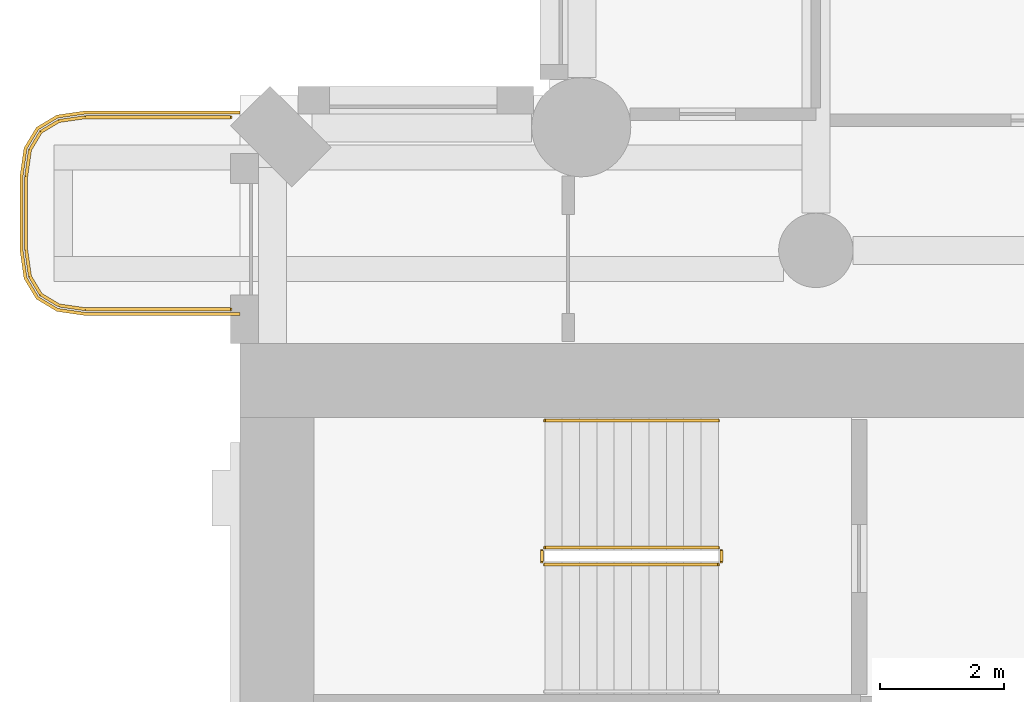
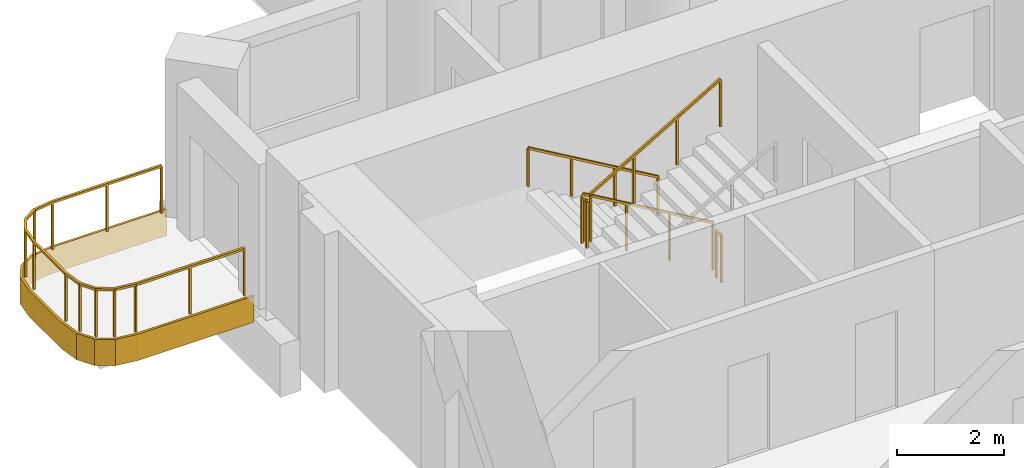
# One storey, part 17 of 20: 6 railings, 1 covering.
"""IFC4 building model written with IfcOpenShell, lengths in metres."""

from ifc_helpers import new_model, si_unit, direction, frame, origin, origin_2d, place, context, subcontext, project, spatial, polyline, rectangle, outline, extrude, material, layer, layer_set, type_object, element, save


model = new_model("IFC4")

# Units and contexts
model_context = context("Model", 3, precision=1e-05, world=origin(), true_north=direction((0.0, 1.0)))
body_context = subcontext(model_context, "Body", "Model", "MODEL_VIEW")
ifc_project = project(units=[si_unit("LENGTHUNIT", "METRE"), si_unit("AREAUNIT", "SQUARE_METRE"), si_unit("VOLUMEUNIT", "CUBIC_METRE"), si_unit("PLANEANGLEUNIT", "RADIAN"), si_unit("MASSUNIT", "GRAM", prefix="KILO")], contexts=[model_context])

# Site, building, storey
site_placement = place(None, origin())
site = spatial("IfcSite", under=ifc_project, at=site_placement, CompositionType="ELEMENT")
building_placement = place(site_placement, origin())
building = spatial("IfcBuilding", under=site, at=building_placement, Name="Cypress Arch Tower", CompositionType="ELEMENT")
storey_placement = place(building_placement, frame((0.0, 0.0, 73.5)))
storey = spatial("IfcBuildingStorey", under=building, at=storey_placement, Name="L12", CompositionType="ELEMENT", Elevation=73.5)

# Covering
ifc_material_1 = material(Name="White powder-coated aluminium fascia", Category="aluminium")
ifc_layer = layer(ifc_material_1, 0.050048828125)
ifc_layer_set = layer_set([ifc_layer], Name="Balcony fascia BF50")
covering_type = type_object("IfcCoveringType", Name="Balcony fascia BF50", PredefinedType="CLADDING", material=ifc_layer_set)
covering_placement = place(storey_placement, frame((0.0, 0.0, -0.60009765625)))
element("IfcCovering", 1, at=covering_placement, inside=storey, type_object=covering_type, Name="Balcony fascia L12-A00W0", PredefinedType="CLADDING", context=body_context, shape_type="SweptSolid", body=[
    extrude(outline(polyline([(-32.503662109375, 16.449951171875), (-32.95458984375, 16.514404296875), (-33.286376953125, 16.713623046875), (-33.485595703125, 17.04541015625), (-33.550048828125, 17.496337890625), (-33.550048828125, 18.70361328125), (-33.485595703125, 19.154541015625), (-33.286376953125, 19.486328125), (-32.95458984375, 19.685546875), (-32.503662109375, 19.75), (-30.0009765625, 19.75), (-30.0009765625, 19.699951171875), (-32.5, 19.699951171875), (-32.9375, 19.637451171875), (-33.25, 19.449951171875), (-33.4375, 19.137451171875), (-33.5, 18.699951171875), (-33.5, 17.5), (-33.4375, 17.0625), (-33.25, 16.75), (-32.9375, 16.5625), (-32.5, 16.5), (-30.0009765625, 16.5), (-30.0009765625, 16.449951171875), (-32.503662109375, 16.449951171875)])), origin(), (0.0, 0.0, 1.0), 0.60009765625),
])

# Railings
ifc_material_2 = material(Name="Powder-coated steel posts and rods, 100 mm clear between rods", Category="steel")
railing_type_1 = type_object("IfcRailingType", Name="Balcony guard GR1100", PredefinedType="GUARDRAIL", material=ifc_material_2)
railing_1_placement = place(storey_placement, frame((-30.14990234375, 16.550048828125, 0.0)))
element("IfcRailing", 2, at=railing_1_placement, inside=storey, type_object=railing_type_1, Name="Balcony guard L12-A00W0", PredefinedType="GUARDRAIL", context=body_context, shape_type="SweptSolid", body=[
    extrude(rectangle(XDim=0.050048828125, YDim=0.050048828125, at=origin_2d()), frame((0.0, 0.0, 1.0751953125), z_axis=(-1.0, 0.0, 0.0), x_axis=(0.0, -1.0, 0.0)), (0.0, 0.0, 1.0), 2.346435546875),
    extrude(rectangle(XDim=0.050048828125, YDim=0.050048828125, at=origin_2d()), frame((-2.346435546875, 0.0, 1.0751953125), z_axis=(-0.989960888959, 0.141341566184, 0.0), x_axis=(-0.141341566184, -0.989960888959, 0.0)), (0.0, 0.0, 1.0), 0.428466796875),
    extrude(rectangle(XDim=0.050048828125, YDim=0.050048828125, at=origin_2d()), frame((-2.7705078125, 0.060546875, 1.0751953125), z_axis=(-0.857681904839, 0.514180659021, 0.0), x_axis=(-0.514180659021, -0.857681904839, 0.0)), (0.0, 0.0, 1.0), 0.341796875),
    extrude(rectangle(XDim=0.050048828125, YDim=0.050048828125, at=origin_2d()), frame((-3.063720703125, 0.236328125, 1.0751953125), z_axis=(-0.514180659021, 0.857681904839, 0.0), x_axis=(-0.857681904839, -0.514180659021, 0.0)), (0.0, 0.0, 1.0), 0.341796875),
    extrude(rectangle(XDim=0.050048828125, YDim=0.050048828125, at=origin_2d()), frame((-3.239501953125, 0.529541015625, 1.0751953125), z_axis=(-0.141341566184, 0.989960888959, 0.0), x_axis=(-0.989960888959, -0.141341566184, 0.0)), (0.0, 0.0, 1.0), 0.428466796875),
    extrude(rectangle(XDim=0.050048828125, YDim=0.050048828125, at=origin_2d()), frame((-3.300048828125, 0.95361328125, 1.0751953125), z_axis=(0.0, 1.0, 0.0), x_axis=(-1.0, 0.0, 0.0)), (0.0, 0.0, 1.0), 1.19287109375),
    extrude(rectangle(XDim=0.050048828125, YDim=0.050048828125, at=origin_2d()), frame((-3.300048828125, 2.146484375, 1.0751953125), z_axis=(0.141421356237, 0.989949493661, 0.0), x_axis=(-0.989949493661, 0.141421356237, 0.0)), (0.0, 0.0, 1.0), 0.42822265625),
    extrude(rectangle(XDim=0.050048828125, YDim=0.050048828125, at=origin_2d()), frame((-3.239501953125, 2.5703125, 1.0751953125), z_axis=(0.514180659021, 0.857681904839, 0.0), x_axis=(-0.857681904839, 0.514180659021, 0.0)), (0.0, 0.0, 1.0), 0.341796875),
    extrude(rectangle(XDim=0.050048828125, YDim=0.050048828125, at=origin_2d()), frame((-3.063720703125, 2.863525390625, 1.0751953125), z_axis=(0.857681904839, 0.514180659021, 0.0), x_axis=(-0.514180659021, 0.857681904839, 0.0)), (0.0, 0.0, 1.0), 0.341796875),
    extrude(rectangle(XDim=0.050048828125, YDim=0.050048828125, at=origin_2d()), frame((-2.7705078125, 3.039306640625, 1.0751953125), z_axis=(0.989960888959, 0.141341566184, 0.0), x_axis=(-0.141341566184, 0.989960888959, 0.0)), (0.0, 0.0, 1.0), 0.428466796875),
    extrude(rectangle(XDim=0.050048828125, YDim=0.050048828125, at=origin_2d()), frame((-2.346435546875, 3.099853515625, 1.0751953125), z_axis=(1.0, 0.0, 0.0), x_axis=(0.0, 1.0, 0.0)), (0.0, 0.0, 1.0), 2.346435546875),
    extrude(rectangle(XDim=0.0400390625, YDim=0.0400390625, at=origin_2d()), origin(), (0.0, 0.0, 1.0), 1.050048828125),
    extrude(rectangle(XDim=0.0400390625, YDim=0.0400390625, at=origin_2d()), frame((-1.17333984375, 0.0, 0.0)), (0.0, 0.0, 1.0), 1.050048828125),
    extrude(rectangle(XDim=0.0400390625, YDim=0.0400390625, at=origin_2d()), frame((-2.346435546875, 0.0, 0.0)), (0.0, 0.0, 1.0), 1.050048828125),
    extrude(rectangle(XDim=0.0400390625, YDim=0.0400390625, at=origin_2d()), frame((-2.7705078125, 0.060546875, 0.0)), (0.0, 0.0, 1.0), 1.050048828125),
    extrude(rectangle(XDim=0.0400390625, YDim=0.0400390625, at=origin_2d()), frame((-3.063720703125, 0.236328125, 0.0)), (0.0, 0.0, 1.0), 1.050048828125),
    extrude(rectangle(XDim=0.0400390625, YDim=0.0400390625, at=origin_2d()), frame((-3.239501953125, 0.529541015625, 0.0)), (0.0, 0.0, 1.0), 1.050048828125),
    extrude(rectangle(XDim=0.0400390625, YDim=0.0400390625, at=origin_2d()), frame((-3.300048828125, 0.95361328125, 0.0)), (0.0, 0.0, 1.0), 1.050048828125),
    extrude(rectangle(XDim=0.0400390625, YDim=0.0400390625, at=origin_2d()), frame((-3.300048828125, 2.146484375, 0.0)), (0.0, 0.0, 1.0), 1.050048828125),
    extrude(rectangle(XDim=0.0400390625, YDim=0.0400390625, at=origin_2d()), frame((-3.239501953125, 2.5703125, 0.0)), (0.0, 0.0, 1.0), 1.050048828125),
    extrude(rectangle(XDim=0.0400390625, YDim=0.0400390625, at=origin_2d()), frame((-3.063720703125, 2.863525390625, 0.0)), (0.0, 0.0, 1.0), 1.050048828125),
    extrude(rectangle(XDim=0.0400390625, YDim=0.0400390625, at=origin_2d()), frame((-2.7705078125, 3.039306640625, 0.0)), (0.0, 0.0, 1.0), 1.050048828125),
    extrude(rectangle(XDim=0.0400390625, YDim=0.0400390625, at=origin_2d()), frame((-2.346435546875, 3.099853515625, 0.0)), (0.0, 0.0, 1.0), 1.050048828125),
    extrude(rectangle(XDim=0.0400390625, YDim=0.0400390625, at=origin_2d()), frame((-1.17333984375, 3.099853515625, 0.0)), (0.0, 0.0, 1.0), 1.050048828125),
    extrude(rectangle(XDim=0.0400390625, YDim=0.0400390625, at=origin_2d()), frame((0.0, 3.099853515625, 0.0)), (0.0, 0.0, 1.0), 1.050048828125),
])
ifc_material_3 = material(Name="Black powder-coated steel square bar 48 mm", Category="steel")
railing_type_2 = type_object("IfcRailingType", Name="Stair handrail HR1", PredefinedType="HANDRAIL", material=ifc_material_3)
railing_2_placement = place(storey_placement, frame((-22.27490234375, 14.75, 0.16357421875)))
element("IfcRailing", 3, at=railing_2_placement, inside=storey, type_object=railing_type_2, Name="L12 B stair handrail 1", PredefinedType="HANDRAIL", context=body_context, shape_type="SweptSolid", body=[
    extrude(rectangle(XDim=0.048095703125, YDim=0.048095703125, at=origin_2d()), frame((0.0, 0.0, 0.8759765625), z_axis=(-0.863360870873, 0.0, 0.504586966384), x_axis=(0.0, -1.0, 0.0)), (0.0, 0.0, 1.0), 3.2431640625),
    extrude(rectangle(XDim=0.0419921875, YDim=0.0419921875, at=origin_2d()), origin(), (0.0, 0.0, 1.0), 0.851806640625),
    extrude(rectangle(XDim=0.0419921875, YDim=0.0419921875, at=origin_2d()), frame((-0.933349609375, 0.0, 0.54541015625)), (0.0, 0.0, 1.0), 0.851806640625),
    extrude(rectangle(XDim=0.0419921875, YDim=0.0419921875, at=origin_2d()), frame((-1.86669921875, 0.0, 1.091064453125)), (0.0, 0.0, 1.0), 0.851806640625),
    extrude(rectangle(XDim=0.0419921875, YDim=0.0419921875, at=origin_2d()), frame((-2.800048828125, 0.0, 1.636474609375)), (0.0, 0.0, 1.0), 0.851806640625),
])
ifc_material_4 = material(Name="Black powder-coated steel balusters", Category="steel")
railing_type_3 = type_object("IfcRailingType", Name="Stair well guard G1", PredefinedType="GUARDRAIL", material=ifc_material_4)
railing_3_placement = place(storey_placement, frame((-22.27490234375, 12.699951171875, 0.16357421875)))
element("IfcRailing", 4, at=railing_3_placement, inside=storey, type_object=railing_type_3, Name="L12 B stair guard 1", PredefinedType="GUARDRAIL", context=body_context, shape_type="SweptSolid", body=[
    extrude(rectangle(XDim=0.048095703125, YDim=0.048095703125, at=origin_2d()), frame((0.0, 0.0, 1.076171875), z_axis=(-0.863360870873, 0.0, 0.504586966384), x_axis=(0.0, -1.0, 0.0)), (0.0, 0.0, 1.0), 3.2431640625),
    extrude(rectangle(XDim=0.0419921875, YDim=0.0419921875, at=origin_2d()), origin(), (0.0, 0.0, 1.0), 1.052001953125),
    extrude(rectangle(XDim=0.0419921875, YDim=0.0419921875, at=origin_2d()), frame((-0.933349609375, 0.0, 0.54541015625)), (0.0, 0.0, 1.0), 1.052001953125),
    extrude(rectangle(XDim=0.0419921875, YDim=0.0419921875, at=origin_2d()), frame((-1.86669921875, 0.0, 1.091064453125)), (0.0, 0.0, 1.0), 1.052001953125),
    extrude(rectangle(XDim=0.0419921875, YDim=0.0419921875, at=origin_2d()), frame((-2.800048828125, 0.0, 1.636474609375)), (0.0, 0.0, 1.0), 1.052001953125),
])
railing_4_placement = place(storey_placement, frame((-25.125, 12.64990234375, 1.800048828125)))
element("IfcRailing", 5, at=railing_4_placement, inside=storey, type_object=railing_type_3, Name="L12 B stair guard 2", PredefinedType="GUARDRAIL", context=body_context, shape_type="SweptSolid", body=[
    extrude(rectangle(XDim=0.048095703125, YDim=0.048095703125, at=origin_2d()), frame((0.0, 0.0, 1.076171875), z_axis=(0.0, -1.0, 0.0), x_axis=(1.0, 0.0, 0.0)), (0.0, 0.0, 1.0), 0.1748046875),
    extrude(rectangle(XDim=0.0419921875, YDim=0.0419921875, at=origin_2d()), origin(), (0.0, 0.0, 1.0), 1.052001953125),
    extrude(rectangle(XDim=0.0419921875, YDim=0.0419921875, at=origin_2d()), frame((0.0, -0.1748046875, 0.0)), (0.0, 0.0, 1.0), 1.052001953125),
])
railing_5_placement = place(storey_placement, frame((-25.074951171875, 12.425048828125, 1.963623046875)))
element("IfcRailing", 6, at=railing_5_placement, inside=storey, type_object=railing_type_3, Name="L12 B stair guard 3", PredefinedType="GUARDRAIL", context=body_context, shape_type="SweptSolid", body=[
    extrude(rectangle(XDim=0.048095703125, YDim=0.048095703125, at=origin_2d()), frame((0.0, 0.0, 1.076171875), z_axis=(0.863360870873, 0.0, 0.504586966384), x_axis=(0.0, 1.0, 0.0)), (0.0, 0.0, 1.0), 3.2431640625),
    extrude(rectangle(XDim=0.0419921875, YDim=0.0419921875, at=origin_2d()), origin(), (0.0, 0.0, 1.0), 1.052001953125),
    extrude(rectangle(XDim=0.0419921875, YDim=0.0419921875, at=origin_2d()), frame((0.933349609375, 0.0, 0.54541015625)), (0.0, 0.0, 1.0), 1.052001953125),
    extrude(rectangle(XDim=0.0419921875, YDim=0.0419921875, at=origin_2d()), frame((1.86669921875, 0.0, 1.091064453125)), (0.0, 0.0, 1.0), 1.052001953125),
    extrude(rectangle(XDim=0.0419921875, YDim=0.0419921875, at=origin_2d()), frame((2.800048828125, 0.0, 1.636474609375)), (0.0, 0.0, 1.0), 1.052001953125),
])
railing_6_placement = place(storey_placement, frame((-22.22509765625, 12.64990234375, 0.0)))
element("IfcRailing", 7, at=railing_6_placement, inside=storey, type_object=railing_type_3, Name="L12 B stair guard 4", PredefinedType="GUARDRAIL", context=body_context, shape_type="SweptSolid", body=[
    extrude(rectangle(XDim=0.048095703125, YDim=0.048095703125, at=origin_2d()), frame((0.0, 0.0, 1.076171875), z_axis=(0.0, -1.0, 0.0), x_axis=(1.0, 0.0, 0.0)), (0.0, 0.0, 1.0), 0.1748046875),
    extrude(rectangle(XDim=0.0419921875, YDim=0.0419921875, at=origin_2d()), origin(), (0.0, 0.0, 1.0), 1.052001953125),
    extrude(rectangle(XDim=0.0419921875, YDim=0.0419921875, at=origin_2d()), frame((0.0, -0.1748046875, 0.0)), (0.0, 0.0, 1.0), 1.052001953125),
])

save(model, "model.ifc")
